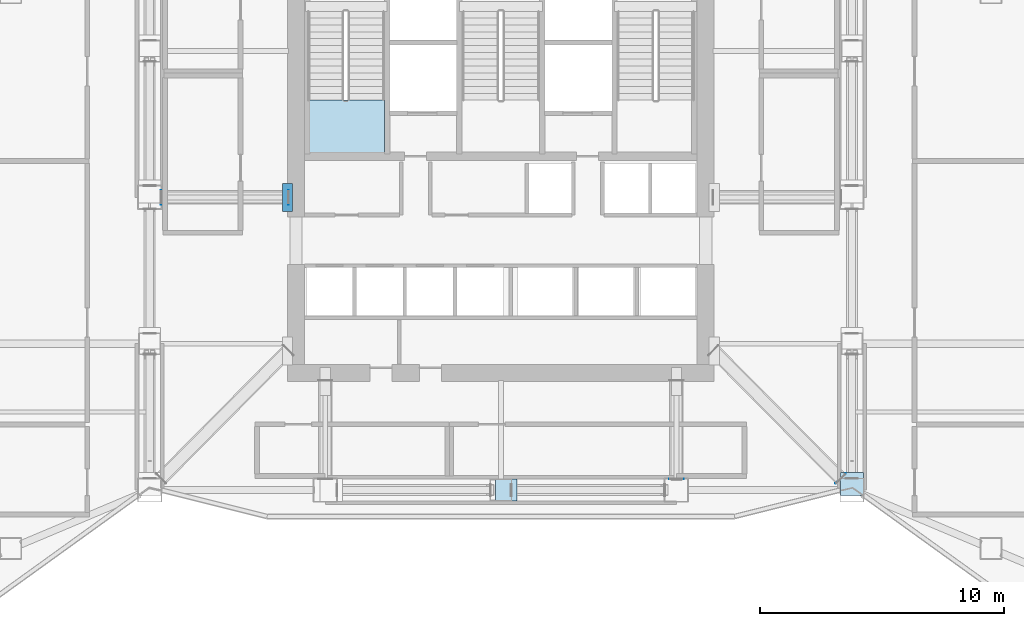
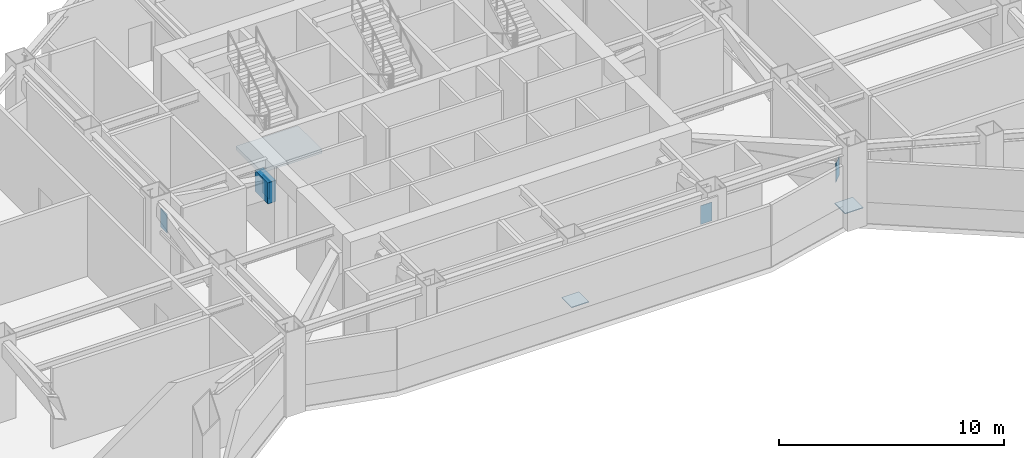
# One storey, part 5 of 24: 7 plates, 1 slab, 1 element without a shape of its own.
"""IFC4 building model written with IfcOpenShell, lengths in metres."""

from ifc_helpers import new_model, si_unit, direction, frame, origin, origin_2d, place, context, subcontext, project, spatial, polyline, rectangle, outline, extrude, material, layer, layer_set, type_object, element, aggregate, save


model = new_model("IFC4")

# Units and contexts
model_context = context("Model", 3, precision=1e-05, world=origin(), true_north=direction((0.0, 1.0)))
body_context = subcontext(model_context, "Body", "Model", "MODEL_VIEW")
ifc_project = project(units=[si_unit("LENGTHUNIT", "METRE"), si_unit("AREAUNIT", "SQUARE_METRE"), si_unit("VOLUMEUNIT", "CUBIC_METRE"), si_unit("PLANEANGLEUNIT", "RADIAN"), si_unit("MASSUNIT", "GRAM", prefix="KILO")], contexts=[model_context])

# Site, building, storey
site_placement = place(None, origin())
site = spatial("IfcSite", under=ifc_project, at=site_placement, CompositionType="ELEMENT")
building_placement = place(site_placement, origin())
building = spatial("IfcBuilding", under=site, at=building_placement, Name="Haolan Belvedere Tower", CompositionType="ELEMENT")
storey_placement = place(building_placement, frame((0.0, 0.0, 160.0)))
storey = spatial("IfcBuildingStorey", under=building, at=storey_placement, Name="L40", CompositionType="ELEMENT", Elevation=160.0)

# Plates
ifc_material_1 = material(Name="Steel Q355B", Category="steel")
ifc_layer_1 = layer(ifc_material_1, 0.02490234375, Name="Steel Q355B")
ifc_layer_set_1 = layer_set([ifc_layer_1], Name="Steel Q355B")
plate_type_1 = type_object("IfcPlateType", Name="PL-CAP-25", PredefinedType="SHEET", material=ifc_layer_set_1)
for number, where, z_axis, x_axis, name in (
    (1, (29.6923828125, 33.60009765625, 2.27490234375), (0.0, 0.0, 1.0), (0.0, 1.0, 0.0), "Hollow steel end-cap plate OR-W1-L40-BC-CAP0"),
    (2, (24.45751953125, 33.60009765625, 2.27490234375), (0.0, 0.0, 1.0), (0.0, -1.0, 0.0), "Hollow steel end-cap plate OR-W1-L40-BC-CAP1"),
    (3, (52.334228515625, 22.06982421875, 2.27490234375), (0.0, 0.0, 1.0), (0.71020994994, 0.703989933881, 0.0), "Hollow steel end-cap plate OR-E2-L40-BC-CAP1"),
    (4, (45.60009765625, 22.0576171875, 2.27490234375), (0.0, 0.0, 1.0), (1.0, 0.0, 0.0), "Hollow steel end-cap plate OR-S2-L40-BC-CAP1"),
):
    element("IfcPlate", number, at=place(storey_placement, frame(where, z_axis=z_axis, x_axis=x_axis)), inside=storey, type_object=plate_type_1, Name=name, PredefinedType="SHEET", context=body_context, shape_type="SweptSolid", body=[
        extrude(rectangle(XDim=0.590087890625, YDim=0.02490234375, at=origin_2d()), origin(), (0.0, 0.0, 1.0), 1.010009765625),
    ])
ifc_material_2 = material(Name="Steel Q420GJC", Category="steel")
ifc_layer_2 = layer(ifc_material_2, 0.0400390625, Name="Steel Q420GJC")
ifc_layer_set_2 = layer_set([ifc_layer_2], Name="Steel Q420GJC")
plate_type_2 = type_object("IfcPlateType", Name="PL-NODE-NP02", PredefinedType="USERDEFINED", material=ifc_layer_set_2)
plate_1_placement = place(storey_placement, frame((29.64990234375, 33.60009765625, 2.275146484375), z_axis=(0.0, 0.0, 1.0), x_axis=(1.0, 0.0, 0.0)))
element("IfcPlate", 5, at=plate_1_placement, inside=storey, type_object=plate_type_2, Name="NP-02 outrigger truss core-wall cast-in node plate L40 OR-W1", ObjectType="GUSSET", PredefinedType="USERDEFINED", context=body_context, shape_type="SweptSolid", body=[
    extrude(rectangle(XDim=0.419921875, YDim=1.14990234375, at=origin_2d()), origin(), (0.0, 0.0, 1.0), 1.14990234375),
])
ifc_material_3 = material(Name="Steel Q390GJC", Category="steel")
ifc_layer_3 = layer(ifc_material_3, 0.035888671875, Name="Steel Q390GJC")
ifc_layer_set_3 = layer_set([ifc_layer_3], Name="Steel Q390GJC")
plate_type_3 = type_object("IfcPlateType", Name="PL-NODE-NP03", PredefinedType="USERDEFINED", material=ifc_layer_set_3)
plate_2_placement = place(storey_placement, frame((52.800048828125, 21.844970703125, 0.7822265625), z_axis=(0.0, 0.0, 1.0), x_axis=(1.0, 0.0, 0.0)))
element("IfcPlate", 6, at=plate_2_placement, inside=storey, type_object=plate_type_3, Name="NP-03 belt truss node plate L40 BT-E1", ObjectType="GUSSET", PredefinedType="USERDEFINED", context=body_context, shape_type="SweptSolid", body=[
    extrude(rectangle(XDim=0.93994140625, YDim=0.93994140625, at=origin_2d()), origin(), (0.0, 0.0, 1.0), 0.035888671875),
])
plate_3_placement = place(storey_placement, frame((38.6201171875, 21.60009765625, 0.7822265625), z_axis=(0.0, 0.0, 1.0), x_axis=(1.0, 0.0, 0.0)))
element("IfcPlate", 7, at=plate_3_placement, inside=storey, type_object=plate_type_3, Name="NP-03 belt truss node plate L40 BT-S2", ObjectType="GUSSET", PredefinedType="USERDEFINED", context=body_context, shape_type="SweptSolid", body=[
    extrude(rectangle(XDim=0.889892578125, YDim=0.889892578125, at=origin_2d()), origin(), (0.0, 0.0, 1.0), 0.035888671875),
])

# Stair, slab
ifc_material_4 = material(Name="Concrete C40/50", Category="concrete")
stair_type = type_object("IfcStairType", Name="STR-DL-28R-164", PredefinedType="HALF_TURN_STAIR", material=ifc_material_4)
stair_placement = place(storey_placement, origin())
stair = element("IfcStair", 8, at=stair_placement, inside=storey, type_object=stair_type, Name="L40 Smokeproof Core Exit Stair ST1", PredefinedType="HALF_TURN_STAIR")
ifc_layer_4 = layer(ifc_material_4, 0.199951171875, Name="Concrete C40/50")
ifc_layer_set_4 = layer_set([ifc_layer_4], Name="Concrete C40/50")
slab_type = type_object("IfcSlabType", Name="SL-LAND-200", PredefinedType="LANDING", material=ifc_layer_set_4)
slab_placement = place(storey_placement, frame((0.0, 0.0, 2.10009765625)))
slab = element("IfcSlab", 9, at=slab_placement, type_object=slab_type, Name="ST1 landing 1", PredefinedType="LANDING", context=body_context, shape_type="SweptSolid", body=[
    extrude(outline(polyline([(30.449951171875, 37.590087890625), (30.449951171875, 35.449951171875), (33.6298828125, 35.449951171875), (33.6298828125, 37.590087890625), (30.449951171875, 37.590087890625)])), origin(), (0.0, 0.0, 1.0), 0.199951171875),
])
aggregate(stair, [slab])

save(model, "model.ifc")
